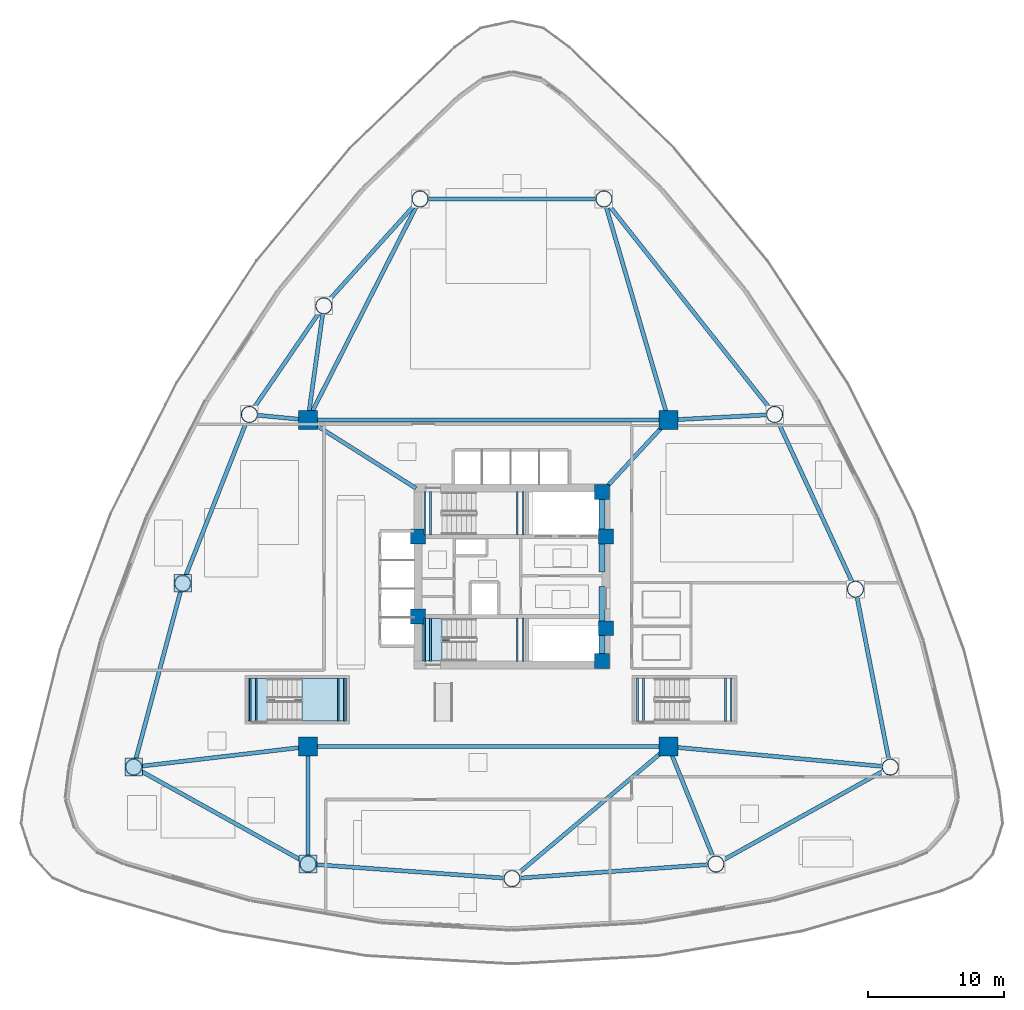
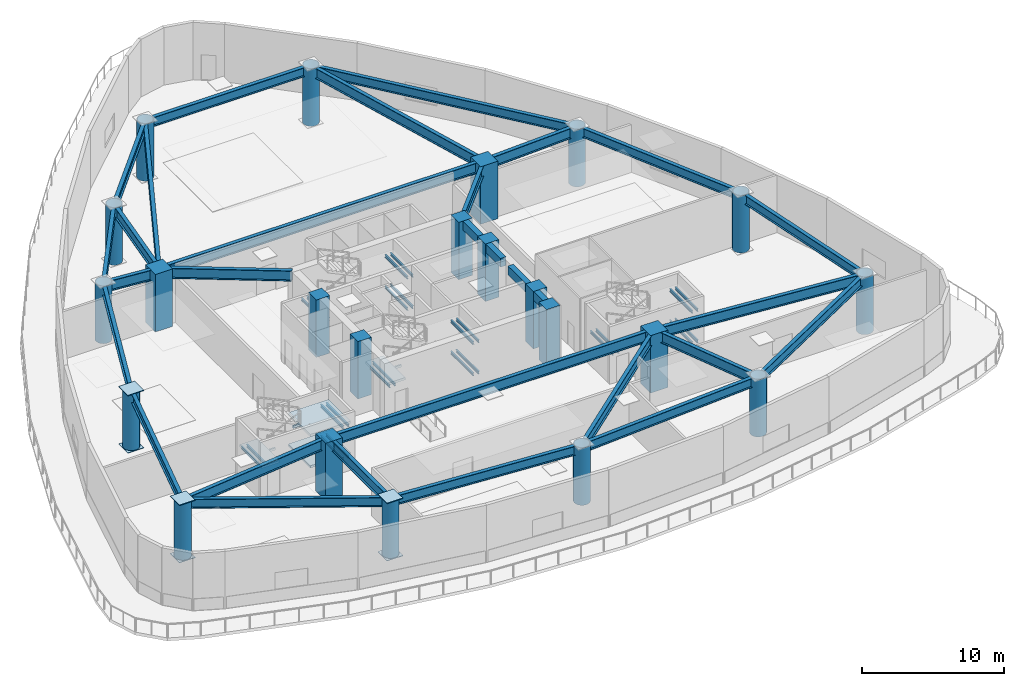
# One storey, part 1 of 13: 52 beams, 22 columns, 6 plates, 4 slabs, 2 elements without a shape of their own.
"""IFC4 building model written with IfcOpenShell, lengths in metres."""

import ifcopenshell
import ifcopenshell.guid

model = None  # the IFC model being written
_history = None  # IfcOwnerHistory: only IFC2X3 demands one
_inside = {}  # id of a spatial element -> (the spatial element, [elements in it])
_under = {}  # id of a project, library or spatial element -> (it, [spatial elements below it])
_declared = {}  # id of a project -> (the project, [libraries it declares])
_typed = {}  # id of a type object -> (the type object, [elements of that type])
_made_of = {}  # id of a material, layer set ... -> (it, [elements and type objects made of it])


def new_model(schema):
    """Start an empty IFC model of exactly this schema.

    Asked for "IFC4X3", IfcOpenShell would pick the latest addendum, in which some entities
    have other attributes; the version numbers below select the first issue.
    IFC2X3 requires an IfcOwnerHistory on every rooted entity: one is made here for all.
    """
    global model, _history
    if schema == "IFC4X3":
        model = ifcopenshell.file(schema_version=(4, 3, 0, 0))
    else:
        model = ifcopenshell.file(schema=schema)
    _inside.clear()
    _under.clear()
    _declared.clear()
    _typed.clear()
    _made_of.clear()
    _history = None
    if model.schema == "IFC2X3":
        org = make("IfcOrganization", Name="unknown")
        user = make(
            "IfcPersonAndOrganization",
            ThePerson=make("IfcPerson", FamilyName="unknown"),
            TheOrganization=org,
        )
        app = make(
            "IfcApplication",
            ApplicationDeveloper=org,
            Version="unknown",
            ApplicationFullName="unknown",
            ApplicationIdentifier="unknown",
        )
        _history = make(
            "IfcOwnerHistory",
            OwningUser=user,
            OwningApplication=app,
            ChangeAction="ADDED",
            CreationDate=0,
        )
    return model


def make(cls, **values):
    """One entity of the class cls with the attributes given. An attribute that is None is left unset."""
    return model.create_entity(
        cls, **{name: value for name, value in values.items() if value is not None}
    )


def rooted(cls, **values):
    """An entity with a GlobalId (a new one), such as an element, a storey or a relation."""
    return make(cls, GlobalId=ifcopenshell.guid.new(), OwnerHistory=_history, **values)


def si_unit(unit_type, name, prefix=None):
    """IfcSIUnit, for example si_unit("LENGTHUNIT", "METRE", prefix="MILLI")."""
    return make("IfcSIUnit", UnitType=unit_type, Prefix=prefix, Name=name)


def assignment(units):
    """IfcUnitAssignment: the units of a project."""
    return None if units is None else make("IfcUnitAssignment", Units=units)


def point(xyz):
    """IfcCartesianPoint."""
    return None if xyz is None else make("IfcCartesianPoint", Coordinates=xyz)


def direction(xyz):
    """IfcDirection."""
    return None if xyz is None else make("IfcDirection", DirectionRatios=xyz)


def frame(location, z_axis=None, x_axis=None):
    """IfcAxis2Placement3D, a coordinate frame: its origin and axes. An axis left out is left unset."""
    return make(
        "IfcAxis2Placement3D",
        Location=point(location),
        Axis=direction(z_axis),
        RefDirection=direction(x_axis),
    )


def frame_2d(location, x_axis=None):
    """IfcAxis2Placement2D, a coordinate frame in the plane: its origin and x axis."""
    return make(
        "IfcAxis2Placement2D", Location=point(location), RefDirection=direction(x_axis)
    )


def origin():
    """The frame at (0, 0, 0) with its axes left unset."""
    return frame((0.0, 0.0, 0.0))


def origin_2d():
    """The frame at (0, 0) in the plane with its x axis left unset."""
    return frame_2d((0.0, 0.0))


def place(relative_to, where):
    """IfcLocalPlacement: puts the frame where relative to a parent placement (None: the world)."""
    return make(
        "IfcLocalPlacement", PlacementRelTo=relative_to, RelativePlacement=where
    )


def context(
    kind, dimensions, precision=None, world=None, true_north=None, identifier=None
):
    """IfcGeometricRepresentationContext, for example the 3D "Model" context."""
    return make(
        "IfcGeometricRepresentationContext",
        ContextIdentifier=identifier,
        ContextType=kind,
        CoordinateSpaceDimension=dimensions,
        Precision=precision,
        WorldCoordinateSystem=world,
        TrueNorth=true_north,
    )


def subcontext(parent, identifier, kind, view, scale=None):
    """IfcGeometricRepresentationSubContext, for example "Body" below "Model"."""
    return make(
        "IfcGeometricRepresentationSubContext",
        ContextIdentifier=identifier,
        ContextType=kind,
        ParentContext=parent,
        TargetScale=scale,
        TargetView=view,
    )


def project(units=None, contexts=None):
    """IfcProject with its units and contexts."""
    return rooted(
        "IfcProject",
        Name="project",
        RepresentationContexts=contexts,
        UnitsInContext=assignment(units),
    )


def spatial(cls, under=None, at=None, **own):
    """A site, building, storey or space (cls), placed at a placement, below another one or the project."""
    s = rooted(cls, ObjectPlacement=at, **own)
    if under is not None:
        _under.setdefault(under.id(), (under, []))[1].append(s)
    return s


def polyline(points):
    """IfcPolyline through the points."""
    return make("IfcPolyline", Points=[point(p) for p in points])


def profile(cls, at=None, kind="AREA", **sizes):
    """A parametric profile (cls). Its sizes go by their IFC names, for example OverallWidth=200.0."""
    return make(cls, ProfileType=kind, Position=at, **sizes)


def rectangle(**sizes):
    """IfcRectangleProfileDef."""
    return profile("IfcRectangleProfileDef", **sizes)


def hollow_circle(**sizes):
    """IfcCircleHollowProfileDef."""
    return profile("IfcCircleHollowProfileDef", **sizes)


def i_section(**sizes):
    """IfcIShapeProfileDef."""
    return profile("IfcIShapeProfileDef", **sizes)


def outline(outer, holes=None, kind="AREA"):
    """IfcArbitraryClosedProfileDef: a profile drawn as a closed curve; with holes, ...WithVoids."""
    if holes is None:
        return make("IfcArbitraryClosedProfileDef", ProfileType=kind, OuterCurve=outer)
    return make(
        "IfcArbitraryProfileDefWithVoids",
        ProfileType=kind,
        OuterCurve=outer,
        InnerCurves=holes,
    )


def extrude(swept, where, along, depth):
    """IfcExtrudedAreaSolid: the profile swept, set in the frame where, extruded along a direction by depth."""
    return make(
        "IfcExtrudedAreaSolid",
        SweptArea=swept,
        Position=where,
        ExtrudedDirection=direction(along),
        Depth=depth,
    )


def shape(context_of_items, identifier, shape_type, items):
    """IfcShapeRepresentation: the items that make up one representation, for example the "Body"."""
    return make(
        "IfcShapeRepresentation",
        ContextOfItems=context_of_items,
        RepresentationIdentifier=identifier,
        RepresentationType=shape_type,
        Items=items,
    )


def source(mapping_origin, context_of_items, identifier, shape_type, items):
    """IfcRepresentationMap: a shape defined once, which mapped items show again and again."""
    return make(
        "IfcRepresentationMap",
        MappingOrigin=mapping_origin,
        MappedRepresentation=shape(context_of_items, identifier, shape_type, items),
    )


def transform(
    local_origin,
    x_axis=None,
    y_axis=None,
    z_axis=None,
    scale=None,
    scale2=None,
    scale3=None,
    uniform=True,
):
    """IfcCartesianTransformationOperator3D, or its non-uniform kind. x_axis, y_axis, z_axis: its Axis1, 2, 3."""
    if uniform:
        return make(
            "IfcCartesianTransformationOperator3D",
            Axis1=direction(x_axis),
            Axis2=direction(y_axis),
            LocalOrigin=point(local_origin),
            Scale=scale,
            Axis3=direction(z_axis),
        )
    return make(
        "IfcCartesianTransformationOperator3DnonUniform",
        Axis1=direction(x_axis),
        Axis2=direction(y_axis),
        LocalOrigin=point(local_origin),
        Scale=scale,
        Axis3=direction(z_axis),
        Scale2=scale2,
        Scale3=scale3,
    )


def mapped(mapping_source, mapping_target):
    """IfcMappedItem: shows the shape of a source again, moved by a transform."""
    return make(
        "IfcMappedItem", MappingSource=mapping_source, MappingTarget=mapping_target
    )


def material(Name=None, Category=None):
    """IfcMaterial."""
    return make("IfcMaterial", Name=Name, Category=Category)


def layer(
    of_material, thickness, ventilated=None, Name=None, Category=None, Priority=None
):
    """IfcMaterialLayer: one layer of a wall or slab, of a material (None: an air gap)."""
    return make(
        "IfcMaterialLayer",
        Material=of_material,
        LayerThickness=thickness,
        IsVentilated=ventilated,
        Name=Name,
        Category=Category,
        Priority=Priority,
    )


def layer_set(layers, Name=None):
    """IfcMaterialLayerSet."""
    return make("IfcMaterialLayerSet", MaterialLayers=layers, LayerSetName=Name)


def material_profile(
    of_material, cross_section, Name=None, Category=None, Priority=None
):
    """IfcMaterialProfile: a cross section and its material."""
    return make(
        "IfcMaterialProfile",
        Name=Name,
        Material=of_material,
        Profile=cross_section,
        Priority=Priority,
        Category=Category,
    )


def profile_set(profiles, Name=None, composite=None):
    """IfcMaterialProfileSet."""
    return make(
        "IfcMaterialProfileSet",
        Name=Name,
        MaterialProfiles=profiles,
        CompositeProfile=composite,
    )


def made_of(thing, what):
    """Note that an element or type object is made of a material, layer set ...; save() writes the relation."""
    if what is not None:
        _made_of.setdefault(what.id(), (what, []))[1].append(thing)
    return thing


def type_object(cls, material=None, **own):
    """A type object (cls), such as IfcWallType, which elements share."""
    return made_of(rooted(cls, **own), material)


def type_shapes(of_type, sources):
    """Give a type object the sources (RepresentationMaps) that its elements show as mapped items."""
    of_type.RepresentationMaps = sources


def element(
    cls,
    number,
    at=None,
    inside=None,
    cuts=None,
    type_object=None,
    material=None,
    context=None,
    identifier="Body",
    shape_type=None,
    held_by="IfcProductDefinitionShape",
    body=None,
    shapes=None,
    **own,
):
    """One element of the class cls, such as IfcWall. Its Tag is "e" and its number.

    at: its placement. inside: the storey or other place that contains it. cuts: it is an
    opening in that element (IfcRelVoidsElement). A single representation is given by context,
    identifier, shape_type and body (its items); several are given by shapes. held_by: the class
    of the entity that holds the representations. save() writes the other relations.
    """
    e = rooted(cls, Tag="e%d" % number, ObjectPlacement=at, **own)
    if body is not None:
        shapes = [shape(context, identifier, shape_type, body)]
    if shapes is not None:
        e.Representation = make(held_by, Representations=shapes)
    if inside is not None:
        _inside.setdefault(inside.id(), (inside, []))[1].append(e)
    if cuts is not None:
        rooted(
            "IfcRelVoidsElement", RelatingBuildingElement=cuts, RelatedOpeningElement=e
        )
    if type_object is not None:
        _typed.setdefault(type_object.id(), (type_object, []))[1].append(e)
    return made_of(e, material)


def aggregate(whole, parts):
    """IfcRelAggregates: a whole, such as a stair, and the parts it consists of."""
    return rooted("IfcRelAggregates", RelatingObject=whole, RelatedObjects=parts)


def save(model, path):
    """Write the relations noted so far, then the file.

    IfcRelAggregates (storeys below a building ...), IfcRelContainedInSpatialStructure (elements
    in a storey), IfcRelDefinesByType, IfcRelAssociatesMaterial and IfcRelDeclares: one each for
    every whole, place, type object, material and project.
    """
    for whole, parts in _under.values():
        aggregate(whole, parts)
    for where, things in _inside.values():
        rooted(
            "IfcRelContainedInSpatialStructure",
            RelatedElements=things,
            RelatingStructure=where,
        )
    for kind, things in _typed.values():
        rooted("IfcRelDefinesByType", RelatedObjects=things, RelatingType=kind)
    for what, things in _made_of.values():
        rooted("IfcRelAssociatesMaterial", RelatedObjects=things, RelatingMaterial=what)
    for by, libraries in _declared.values():
        rooted("IfcRelDeclares", RelatingContext=by, RelatedDefinitions=libraries)
    model.write(path)


model = new_model("IFC4")

# Units and contexts
model_context = context("Model", 3, precision=1e-05, world=origin(), true_north=direction((0.0, 1.0)))
body_context = subcontext(model_context, "Body", "Model", "MODEL_VIEW")
ifc_project = project(units=[si_unit("LENGTHUNIT", "METRE"), si_unit("AREAUNIT", "SQUARE_METRE"), si_unit("VOLUMEUNIT", "CUBIC_METRE"), si_unit("PLANEANGLEUNIT", "RADIAN"), si_unit("MASSUNIT", "GRAM", prefix="KILO")], contexts=[model_context])

# Site, building, storey
site_placement = place(None, origin())
site = spatial("IfcSite", under=ifc_project, at=site_placement, CompositionType="ELEMENT")
building_placement = place(site_placement, origin())
building = spatial("IfcBuilding", under=site, at=building_placement, Name="Tavelor Broadcast Tower", CompositionType="ELEMENT")
storey_placement = place(building_placement, frame((0.0, 0.0, 16.800048828125)))
storey = spatial("IfcBuildingStorey", under=building, at=storey_placement, Name="L03", CompositionType="ELEMENT", Elevation=16.800048828125)

# Columns
ifc_material_1 = material(Name="Concrete C60/75", Category="concrete")
ifc_material_profile_1 = material_profile(ifc_material_1, rectangle(XDim=1.10009765625, YDim=1.10009765625, at=origin_2d()), Name="RC 1100x1100")
ifc_profile_set_1 = profile_set([ifc_material_profile_1], Name="Concrete C60/75")
column_type_1 = type_object("IfcColumnType", Name="Core Embedded Composite Column RC1100", PredefinedType="COLUMN", material=ifc_profile_set_1)
for number, where, z_axis, x_axis, name in (
    (1, (43.10009765625, 47.949951171875, 0.0), (0.0, 0.0, 1.0), (1.0, 0.0, 0.0), "L03 Core Embedded Column 1"),
    (2, (56.89990234375, 47.949951171875, 0.0), (0.0, 0.0, 1.0), (1.0, 0.0, 0.0), "L03 Core Embedded Column 2"),
    (3, (56.60009765625, 51.199951171875, 0.0), (0.0, 0.0, 1.0), (1.0, 0.0, 0.0), "L03 Core Embedded Column 3"),
    (4, (43.10009765625, 42.050048828125, 0.0), (0.0, 0.0, 1.0), (1.0, 0.0, 0.0), "L03 Core Embedded Column 4"),
    (5, (56.89990234375, 41.199951171875, 0.0), (0.0, 0.0, 1.0), (1.0, 0.0, 0.0), "L03 Core Embedded Column 5"),
    (6, (56.60009765625, 38.800048828125, 0.0), (0.0, 0.0, 1.0), (1.0, 0.0, 0.0), "L03 Core Embedded Column 6"),
):
    element("IfcColumn", number, at=place(storey_placement, frame(where, z_axis=z_axis, x_axis=x_axis)), inside=storey, type_object=column_type_1, Name=name, PredefinedType="COLUMN", context=body_context, shape_type="SweptSolid", body=[
        extrude(rectangle(XDim=1.10009765625, YDim=1.10009765625, at=origin_2d()), origin(), (0.0, 0.0, 1.0), 4.949951171875),
    ])
ifc_material_profile_2 = material_profile(ifc_material_1, rectangle(XDim=1.39990234375, YDim=1.39990234375, at=origin_2d()), Name="RC 1400x1400")
ifc_profile_set_2 = profile_set([ifc_material_profile_2], Name="Concrete C60/75")
column_type_2 = type_object("IfcColumnType", Name="Podium Composite Mega Column RC1400", PredefinedType="COLUMN", material=ifc_profile_set_2)
for number, where, z_axis, x_axis, name in (
    (7, (35.0, 32.5, 0.0), (0.0, 0.0, 1.0), (1.0, 0.0, 0.0), "L03 Studio Inner Mega Column 1"),
    (8, (61.5, 32.5, 0.0), (0.0, 0.0, 1.0), (1.0, 0.0, 0.0), "L03 Studio Inner Mega Column 2"),
    (9, (61.5, 56.5, 0.0), (0.0, 0.0, 1.0), (1.0, 0.0, 0.0), "L03 Studio Inner Mega Column 3"),
    (10, (35.0, 56.5, 0.0), (0.0, 0.0, 1.0), (1.0, 0.0, 0.0), "L03 Studio Inner Mega Column 4"),
):
    element("IfcColumn", number, at=place(storey_placement, frame(where, z_axis=z_axis, x_axis=x_axis)), inside=storey, type_object=column_type_2, Name=name, PredefinedType="COLUMN", context=body_context, shape_type="SweptSolid", body=[
        extrude(rectangle(XDim=1.39990234375, YDim=1.39990234375, at=origin_2d()), origin(), (0.0, 0.0, 1.0), 4.949951171875),
    ])
ifc_material_2 = material(Name="Steel S460", Category="steel")
ifc_material_profile_3 = material_profile(ifc_material_2, hollow_circle(Radius=0.609619140625, WallThickness=0.050048828125, at=origin_2d()), Name="CHS 1219x50")
ifc_profile_set_3 = profile_set([ifc_material_profile_3], Name="Steel S460")
column_type_3 = type_object("IfcColumnType", Name="Podium Perimeter Mega Column CHS1219", PredefinedType="COLUMN", material=ifc_profile_set_3)
for number, where, z_axis, x_axis, name in (
    (11, (43.247314453125, 72.7509765625, 0.0), (0.0, 0.0, 1.0), (1.0, 0.0, 0.0), "L03 Podium Perimeter Mega Column 1"),
    (12, (36.170166015625, 64.893310546875, 0.0), (0.0, 0.0, 1.0), (1.0, 0.0, 0.0), "L03 Podium Perimeter Mega Column 2"),
    (13, (30.69921875, 56.9111328125, 0.0), (0.0, 0.0, 1.0), (1.0, 0.0, 0.0), "L03 Podium Perimeter Mega Column 3"),
    (14, (25.800048828125, 44.5, 0.0), (0.0, 0.0, 1.0), (1.0, 0.0, 0.0), "L03 Podium Perimeter Mega Column 4"),
    (15, (22.199951171875, 31.0, 0.0), (0.0, 0.0, 1.0), (1.0, 0.0, 0.0), "L03 Podium Perimeter Mega Column 5"),
    (16, (35.01220703125, 23.87109375, 0.0), (0.0, 0.0, 1.0), (1.0, 0.0, 0.0), "L03 Podium Perimeter Mega Column 6"),
    (17, (50.0, 22.800048828125, 0.0), (0.0, 0.0, 1.0), (1.0, 0.0, 0.0), "L03 Podium Perimeter Mega Column 7"),
    (18, (64.98779296875, 23.87109375, 0.0), (0.0, 0.0, 1.0), (1.0, 0.0, 0.0), "L03 Podium Perimeter Mega Column 8"),
    (19, (77.800048828125, 31.0, 0.0), (0.0, 0.0, 1.0), (1.0, 0.0, 0.0), "L03 Podium Perimeter Mega Column 9"),
    (20, (75.2412109375, 44.070068359375, 0.0), (0.0, 0.0, 1.0), (1.0, 0.0, 0.0), "L03 Podium Perimeter Mega Column 10"),
    (21, (69.30078125, 56.9111328125, 0.0), (0.0, 0.0, 1.0), (1.0, 0.0, 0.0), "L03 Podium Perimeter Mega Column 11"),
    (22, (56.752685546875, 72.7509765625, 0.0), (0.0, 0.0, 1.0), (1.0, 0.0, 0.0), "L03 Podium Perimeter Mega Column 12"),
):
    element("IfcColumn", number, at=place(storey_placement, frame(where, z_axis=z_axis, x_axis=x_axis)), inside=storey, type_object=column_type_3, Name=name, PredefinedType="COLUMN", context=body_context, shape_type="SweptSolid", body=[
        extrude(hollow_circle(Radius=0.609619140625, WallThickness=0.050048828125, at=origin_2d()), origin(), (0.0, 0.0, 1.0), 4.949951171875),
    ])

# Beams
ifc_material_3 = material(Name="Concrete C40/50", Category="concrete")
ifc_material_profile_4 = material_profile(ifc_material_3, rectangle(XDim=0.449951171875, YDim=0.75, at=origin_2d()), Name="RC 450x750")
ifc_profile_set_4 = profile_set([ifc_material_profile_4], Name="Concrete C40/50")
beam_type_1 = type_object("IfcBeamType", Name="Basement Core Trim Beam 450x750", PredefinedType="BEAM", material=ifc_profile_set_4)
beam_1_placement = place(storey_placement, frame((56.60009765625, 45.327880859375, 4.574951171875), z_axis=(0.0, 1.0, 0.0), x_axis=(-1.0, 0.0, 0.0)))
element("IfcBeam", 23, at=beam_1_placement, inside=storey, type_object=beam_type_1, Name="L03 Core East-N Tie Girder", PredefinedType="BEAM", context=body_context, shape_type="SweptSolid", body=[
    extrude(rectangle(XDim=0.449951171875, YDim=0.75, at=origin_2d()), origin(), (0.0, 0.0, 1.0), 5.34423828125),
])
beam_2_placement = place(storey_placement, frame((56.60009765625, 39.327880859375, 4.574951171875), z_axis=(0.0, 1.0, 0.0), x_axis=(-1.0, 0.0, 0.0)))
element("IfcBeam", 24, at=beam_2_placement, inside=storey, type_object=beam_type_1, Name="L03 Core East-S Tie Girder", PredefinedType="BEAM", context=body_context, shape_type="SweptSolid", body=[
    extrude(rectangle(XDim=0.449951171875, YDim=0.75, at=origin_2d()), origin(), (0.0, 0.0, 1.0), 4.944091796875),
])
ifc_material_4 = material(Name="Steel S355", Category="steel")
ifc_material_profile_5 = material_profile(ifc_material_4, i_section(OverallWidth=0.300048828125, OverallDepth=0.800048828125, WebThickness=0.017578125, FlangeThickness=0.032958984375, at=origin_2d()), Name="HEB 800")
ifc_profile_set_5 = profile_set([ifc_material_profile_5], Name="Steel S355")
beam_type_2 = type_object("IfcBeamType", Name="Podium Spandrel Beam HEB800", PredefinedType="SPANDREL", material=ifc_profile_set_5)
beam_3_placement = place(storey_placement, frame((42.85888671875, 72.320068359375, 4.550048828125), z_axis=(-0.669215412935, -0.74306845653, 0.0), x_axis=(0.74306845653, -0.669215412935, 0.0)))
element("IfcBeam", 25, at=beam_3_placement, inside=storey, type_object=beam_type_2, Name="L03 Podium Spandrel Girder 1", PredefinedType="SPANDREL", context=body_context, shape_type="SweptSolid", body=[
    extrude(i_section(OverallWidth=0.300048828125, OverallDepth=0.800048828125, WebThickness=0.017578125, FlangeThickness=0.032958984375, at=origin_2d()), origin(), (0.0, 0.0, 1.0), 9.414794921875),
])
beam_4_placement = place(storey_placement, frame((35.84228515625, 64.414794921875, 4.550048828125), z_axis=(-0.565364008772, -0.82484152271, 0.0), x_axis=(0.82484152271, -0.565364008772, 0.0)))
element("IfcBeam", 26, at=beam_4_placement, inside=storey, type_object=beam_type_2, Name="L03 Podium Spandrel Girder 2", PredefinedType="SPANDREL", context=body_context, shape_type="SweptSolid", body=[
    extrude(i_section(OverallWidth=0.300048828125, OverallDepth=0.800048828125, WebThickness=0.017578125, FlangeThickness=0.032958984375, at=origin_2d()), origin(), (0.0, 0.0, 1.0), 8.516845703125),
])
beam_5_placement = place(storey_placement, frame((30.486083984375, 56.37158203125, 4.550048828125), z_axis=(-0.367164709683, -0.930155941745, 0.0), x_axis=(0.930155941745, -0.367164709683, 0.0)))
element("IfcBeam", 27, at=beam_5_placement, inside=storey, type_object=beam_type_2, Name="L03 Podium Spandrel Girder 3", PredefinedType="SPANDREL", context=body_context, shape_type="SweptSolid", body=[
    extrude(i_section(OverallWidth=0.300048828125, OverallDepth=0.800048828125, WebThickness=0.017578125, FlangeThickness=0.032958984375, at=origin_2d()), origin(), (0.0, 0.0, 1.0), 12.182861328125),
])
beam_6_placement = place(storey_placement, frame((25.650634765625, 43.939697265625, 4.550048828125), z_axis=(-0.257669766751, -0.966233041922, 0.0), x_axis=(0.966233041922, -0.257669766751, 0.0)))
element("IfcBeam", 28, at=beam_6_placement, inside=storey, type_object=beam_type_2, Name="L03 Podium Spandrel Girder 4", PredefinedType="SPANDREL", context=body_context, shape_type="SweptSolid", body=[
    extrude(i_section(OverallWidth=0.300048828125, OverallDepth=0.800048828125, WebThickness=0.017578125, FlangeThickness=0.032958984375, at=origin_2d()), origin(), (0.0, 0.0, 1.0), 12.81201171875),
])
beam_7_placement = place(storey_placement, frame((22.706787109375, 30.718017578125, 4.550048828125), z_axis=(0.873837244076, -0.486218542289, 0.0), x_axis=(0.486218542289, 0.873837244076, 0.0)))
element("IfcBeam", 29, at=beam_7_placement, inside=storey, type_object=beam_type_2, Name="L03 Podium Spandrel Girder 5", PredefinedType="SPANDREL", context=body_context, shape_type="SweptSolid", body=[
    extrude(i_section(OverallWidth=0.300048828125, OverallDepth=0.800048828125, WebThickness=0.017578125, FlangeThickness=0.032958984375, at=origin_2d()), origin(), (0.0, 0.0, 1.0), 13.501953125),
])
for number, where, z_axis, x_axis, name in (
    (30, (35.590576171875, 23.82958984375, 4.550048828125), (0.997456822591, -0.07127332647, 0.0), (0.07127332647, 0.997456822591, 0.0), "L03 Podium Spandrel Girder 6"),
    (31, (50.57861328125, 22.84130859375, 4.550048828125), (0.997456822591, 0.07127332647, 0.0), (-0.07127332647, 0.997456822591, 0.0), "L03 Podium Spandrel Girder 7"),
):
    element("IfcBeam", number, at=place(storey_placement, frame(where, z_axis=z_axis, x_axis=x_axis)), inside=storey, type_object=beam_type_2, Name=name, PredefinedType="SPANDREL", context=body_context, shape_type="SweptSolid", body=[
        extrude(i_section(OverallWidth=0.300048828125, OverallDepth=0.800048828125, WebThickness=0.017578125, FlangeThickness=0.032958984375, at=origin_2d()), origin(), (0.0, 0.0, 1.0), 13.865966796875),
    ])
beam_8_placement = place(storey_placement, frame((65.49462890625, 24.153076171875, 4.550048828125), z_axis=(0.873837244076, 0.486218542289, 0.0), x_axis=(-0.486218542289, 0.873837244076, 0.0)))
element("IfcBeam", 32, at=beam_8_placement, inside=storey, type_object=beam_type_2, Name="L03 Podium Spandrel Girder 8", PredefinedType="SPANDREL", context=body_context, shape_type="SweptSolid", body=[
    extrude(i_section(OverallWidth=0.300048828125, OverallDepth=0.800048828125, WebThickness=0.017578125, FlangeThickness=0.032958984375, at=origin_2d()), origin(), (0.0, 0.0, 1.0), 13.501953125),
])
beam_9_placement = place(storey_placement, frame((77.688720703125, 31.569091796875, 4.550048828125), z_axis=(-0.192144879801, 0.981366570231, 0.0), x_axis=(-0.981366570231, -0.192144879801, 0.0)))
element("IfcBeam", 33, at=beam_9_placement, inside=storey, type_object=beam_type_2, Name="L03 Podium Spandrel Girder 9", PredefinedType="SPANDREL", context=body_context, shape_type="SweptSolid", body=[
    extrude(i_section(OverallWidth=0.300048828125, OverallDepth=0.800048828125, WebThickness=0.017578125, FlangeThickness=0.032958984375, at=origin_2d()), origin(), (0.0, 0.0, 1.0), 12.158447265625),
])
beam_10_placement = place(storey_placement, frame((74.997802734375, 44.596435546875, 4.550048828125), z_axis=(-0.419873312524, 0.90758272429, 0.0), x_axis=(-0.90758272429, -0.419873312524, 0.0)))
element("IfcBeam", 34, at=beam_10_placement, inside=storey, type_object=beam_type_2, Name="L03 Podium Spandrel Girder 10", PredefinedType="SPANDREL", context=body_context, shape_type="SweptSolid", body=[
    extrude(i_section(OverallWidth=0.300048828125, OverallDepth=0.800048828125, WebThickness=0.017578125, FlangeThickness=0.032958984375, at=origin_2d()), origin(), (0.0, 0.0, 1.0), 12.98876953125),
])
beam_11_placement = place(storey_placement, frame((68.940673828125, 57.36572265625, 4.550048828125), z_axis=(-0.620945854653, 0.783853459257, 0.0), x_axis=(-0.783853459257, -0.620945854653, 0.0)))
element("IfcBeam", 35, at=beam_11_placement, inside=storey, type_object=beam_type_2, Name="L03 Podium Spandrel Girder 11", PredefinedType="SPANDREL", context=body_context, shape_type="SweptSolid", body=[
    extrude(i_section(OverallWidth=0.300048828125, OverallDepth=0.800048828125, WebThickness=0.017578125, FlangeThickness=0.032958984375, at=origin_2d()), origin(), (0.0, 0.0, 1.0), 19.0478515625),
])
beam_12_placement = place(storey_placement, frame((56.1728515625, 72.7509765625, 4.550048828125), z_axis=(-1.0, 0.0, 0.0), x_axis=(0.0, -1.0, 0.0)))
element("IfcBeam", 36, at=beam_12_placement, inside=storey, type_object=beam_type_2, Name="L03 Podium Spandrel Girder 12", PredefinedType="SPANDREL", context=body_context, shape_type="SweptSolid", body=[
    extrude(i_section(OverallWidth=0.300048828125, OverallDepth=0.800048828125, WebThickness=0.017578125, FlangeThickness=0.032958984375, at=origin_2d()), origin(), (0.0, 0.0, 1.0), 12.345703125),
])
ifc_material_profile_6 = material_profile(ifc_material_4, i_section(OverallWidth=0.1201171875, OverallDepth=0.239990234375, WebThickness=0.006103515625, FlangeThickness=0.009765625, at=origin_2d()), Name="IPE 240")
ifc_profile_set_6 = profile_set([ifc_material_profile_6], Name="Steel S355")
beam_type_3 = type_object("IfcBeamType", Name="Stairwell Landing Support Trimmer Beam IPE240", PredefinedType="BEAM", material=ifc_profile_set_6)
for number, where, z_axis, x_axis, name in (
    (37, (50.385009765625, 48.06005859375, 1.034912109375), (0.0, 1.0, 0.0), (-1.0, 0.0, 0.0), "L03 Stair Landing Support Beam 23"),
    (38, (50.824951171875, 48.06005859375, 1.034912109375), (0.0, 1.0, 0.0), (-1.0, 0.0, 0.0), "L03 Stair Landing Support Beam 24"),
    (39, (43.574951171875, 48.06005859375, 2.385009765625), (0.0, 1.0, 0.0), (-1.0, 0.0, 0.0), "L03 Stair Landing Support Beam 25"),
    (40, (44.014892578125, 48.06005859375, 2.385009765625), (0.0, 1.0, 0.0), (-1.0, 0.0, 0.0), "L03 Stair Landing Support Beam 26"),
    (41, (50.385009765625, 48.06005859375, 3.73486328125), (0.0, 1.0, 0.0), (-1.0, 0.0, 0.0), "L03 Stair Landing Support Beam 27"),
    (42, (50.824951171875, 48.06005859375, 3.73486328125), (0.0, 1.0, 0.0), (-1.0, 0.0, 0.0), "L03 Stair Landing Support Beam 28"),
    (43, (50.385009765625, 38.760009765625, 1.034912109375), (0.0, 1.0, 0.0), (-1.0, 0.0, 0.0), "L03 Stair Landing Support Beam 237"),
    (44, (50.824951171875, 38.760009765625, 1.034912109375), (0.0, 1.0, 0.0), (-1.0, 0.0, 0.0), "L03 Stair Landing Support Beam 238"),
    (45, (43.574951171875, 38.760009765625, 2.385009765625), (0.0, 1.0, 0.0), (-1.0, 0.0, 0.0), "L03 Stair Landing Support Beam 239"),
    (46, (44.014892578125, 38.760009765625, 2.385009765625), (0.0, 1.0, 0.0), (-1.0, 0.0, 0.0), "L03 Stair Landing Support Beam 240"),
    (47, (50.385009765625, 38.760009765625, 3.73486328125), (0.0, 1.0, 0.0), (-1.0, 0.0, 0.0), "L03 Stair Landing Support Beam 241"),
    (48, (50.824951171875, 38.760009765625, 3.73486328125), (0.0, 1.0, 0.0), (-1.0, 0.0, 0.0), "L03 Stair Landing Support Beam 242"),
    (49, (37.235107421875, 34.360107421875, 1.034912109375), (0.0, 1.0, 0.0), (-1.0, 0.0, 0.0), "L03 Stair Landing Support Beam 433"),
    (50, (37.675048828125, 34.360107421875, 1.034912109375), (0.0, 1.0, 0.0), (-1.0, 0.0, 0.0), "L03 Stair Landing Support Beam 434"),
    (51, (30.77490234375, 34.360107421875, 2.385009765625), (0.0, 1.0, 0.0), (-1.0, 0.0, 0.0), "L03 Stair Landing Support Beam 435"),
    (52, (31.215087890625, 34.360107421875, 2.385009765625), (0.0, 1.0, 0.0), (-1.0, 0.0, 0.0), "L03 Stair Landing Support Beam 436"),
    (53, (37.235107421875, 34.360107421875, 3.73486328125), (0.0, 1.0, 0.0), (-1.0, 0.0, 0.0), "L03 Stair Landing Support Beam 437"),
    (54, (37.675048828125, 34.360107421875, 3.73486328125), (0.0, 1.0, 0.0), (-1.0, 0.0, 0.0), "L03 Stair Landing Support Beam 438"),
    (55, (65.68505859375, 34.360107421875, 1.034912109375), (0.0, 1.0, 0.0), (-1.0, 0.0, 0.0), "L03 Stair Landing Support Beam 461"),
    (56, (66.125, 34.360107421875, 1.034912109375), (0.0, 1.0, 0.0), (-1.0, 0.0, 0.0), "L03 Stair Landing Support Beam 462"),
    (57, (59.22509765625, 34.360107421875, 2.385009765625), (0.0, 1.0, 0.0), (-1.0, 0.0, 0.0), "L03 Stair Landing Support Beam 463"),
    (58, (59.6650390625, 34.360107421875, 2.385009765625), (0.0, 1.0, 0.0), (-1.0, 0.0, 0.0), "L03 Stair Landing Support Beam 464"),
    (59, (65.68505859375, 34.360107421875, 3.73486328125), (0.0, 1.0, 0.0), (-1.0, 0.0, 0.0), "L03 Stair Landing Support Beam 465"),
    (60, (66.125, 34.360107421875, 3.73486328125), (0.0, 1.0, 0.0), (-1.0, 0.0, 0.0), "L03 Stair Landing Support Beam 466"),
):
    element("IfcBeam", number, at=place(storey_placement, frame(where, z_axis=z_axis, x_axis=x_axis)), inside=storey, type_object=beam_type_3, Name=name, PredefinedType="BEAM", context=body_context, shape_type="SweptSolid", body=[
        extrude(i_section(OverallWidth=0.1201171875, OverallDepth=0.239990234375, WebThickness=0.006103515625, FlangeThickness=0.009765625, at=origin_2d()), origin(), (0.0, 0.0, 1.0), 3.179931640625),
    ])
ifc_material_profile_7 = material_profile(ifc_material_2, i_section(OverallWidth=0.300048828125, OverallDepth=0.89990234375, WebThickness=0.0185546875, FlangeThickness=0.034912109375, at=origin_2d()), Name="HEB 900")
ifc_profile_set_7 = profile_set([ifc_material_profile_7], Name="Steel S460")
beam_type_4 = type_object("IfcBeamType", Name="Studio Long-Span Girder HEB900", PredefinedType="BEAM", material=ifc_profile_set_7)
for number, where, z_axis, x_axis, name in (
    (61, (35.679931640625, 32.5, 4.5), (1.0, 0.0, 0.0), (0.0, 1.0, 0.0), "L03 Studio Ring Girder 1"),
    (62, (60.820068359375, 56.5, 4.5), (-1.0, 0.0, 0.0), (0.0, -1.0, 0.0), "L03 Studio Ring Girder 3"),
):
    element("IfcBeam", number, at=place(storey_placement, frame(where, z_axis=z_axis, x_axis=x_axis)), inside=storey, type_object=beam_type_4, Name=name, PredefinedType="BEAM", context=body_context, shape_type="SweptSolid", body=[
        extrude(i_section(OverallWidth=0.300048828125, OverallDepth=0.89990234375, WebThickness=0.0185546875, FlangeThickness=0.034912109375, at=origin_2d()), origin(), (0.0, 0.0, 1.0), 25.14013671875),
    ])
beam_13_placement = place(storey_placement, frame((61.038330078125, 56.000732421875, 4.5), z_axis=(-0.678838365395, -0.734287732205, 0.0), x_axis=(0.734287732205, -0.678838365395, 0.0)))
element("IfcBeam", 63, at=beam_13_placement, inside=storey, type_object=beam_type_4, Name="L03 Core Tie Girder 3", PredefinedType="BEAM", context=body_context, shape_type="SweptSolid", body=[
    extrude(i_section(OverallWidth=0.300048828125, OverallDepth=0.89990234375, WebThickness=0.0185546875, FlangeThickness=0.034912109375, at=origin_2d()), origin(), (0.0, 0.0, 1.0), 6.010009765625),
])
beam_14_placement = place(storey_placement, frame((35.5751953125, 56.13720703125, 4.5), z_axis=(0.845723551993, -0.533621282938, 0.0), x_axis=(0.533621282938, 0.845723551993, 0.0)))
element("IfcBeam", 64, at=beam_14_placement, inside=storey, type_object=beam_type_4, Name="L03 Core Tie Girder 4", PredefinedType="BEAM", context=body_context, shape_type="SweptSolid", body=[
    extrude(i_section(OverallWidth=0.300048828125, OverallDepth=0.89990234375, WebThickness=0.0185546875, FlangeThickness=0.034912109375, at=origin_2d()), origin(), (0.0, 0.0, 1.0), 8.724365234375),
])
beam_15_placement = place(storey_placement, frame((35.3076171875, 57.1064453125, 4.5), z_axis=(0.45254782721, 0.891740132599, 0.0), x_axis=(-0.891740132599, 0.45254782721, 0.0)))
element("IfcBeam", 65, at=beam_15_placement, inside=storey, type_object=beam_type_4, Name="L03 Clear-Span Studio Girder 1", PredefinedType="BEAM", context=body_context, shape_type="SweptSolid", body=[
    extrude(i_section(OverallWidth=0.300048828125, OverallDepth=0.89990234375, WebThickness=0.0185546875, FlangeThickness=0.034912109375, at=origin_2d()), origin(), (0.0, 0.0, 1.0), 16.9638671875),
])
beam_16_placement = place(storey_placement, frame((35.093994140625, 57.173583984375, 4.5), z_axis=(0.138070971987, 0.990422337538, 0.0), x_axis=(-0.990422337538, 0.138070971987, 0.0)))
element("IfcBeam", 66, at=beam_16_placement, inside=storey, type_object=beam_type_4, Name="L03 Clear-Span Studio Girder 2", PredefinedType="BEAM", context=body_context, shape_type="SweptSolid", body=[
    extrude(i_section(OverallWidth=0.300048828125, OverallDepth=0.89990234375, WebThickness=0.0185546875, FlangeThickness=0.034912109375, at=origin_2d()), origin(), (0.0, 0.0, 1.0), 7.21435546875),
])
beam_17_placement = place(storey_placement, frame((34.322998046875, 56.564697265625, 4.5), z_axis=(-0.995460626314, 0.095174268889, 0.0), x_axis=(-0.095174268889, -0.995460626314, 0.0)))
element("IfcBeam", 67, at=beam_17_placement, inside=storey, type_object=beam_type_4, Name="L03 Clear-Span Studio Girder 3", PredefinedType="BEAM", context=body_context, shape_type="SweptSolid", body=[
    extrude(i_section(OverallWidth=0.300048828125, OverallDepth=0.89990234375, WebThickness=0.0185546875, FlangeThickness=0.034912109375, at=origin_2d()), origin(), (0.0, 0.0, 1.0), 3.060302734375),
])
beam_18_placement = place(storey_placement, frame((34.32470703125, 32.4208984375, 4.5), z_axis=(-0.993201817643, -0.116405109127, 0.0), x_axis=(0.116405109127, -0.993201817643, 0.0)))
element("IfcBeam", 68, at=beam_18_placement, inside=storey, type_object=beam_type_4, Name="L03 Clear-Span Studio Girder 5", PredefinedType="BEAM", context=body_context, shape_type="SweptSolid", body=[
    extrude(i_section(OverallWidth=0.300048828125, OverallDepth=0.89990234375, WebThickness=0.0185546875, FlangeThickness=0.034912109375, at=origin_2d()), origin(), (0.0, 0.0, 1.0), 11.627685546875),
])
beam_19_placement = place(storey_placement, frame((35.0009765625, 31.820068359375, 4.5), z_axis=(0.00139146433, -0.999999031913, 0.0), x_axis=(0.999999031913, 0.00139146433, 0.0)))
element("IfcBeam", 69, at=beam_19_placement, inside=storey, type_object=beam_type_4, Name="L03 Clear-Span Studio Girder 6", PredefinedType="BEAM", context=body_context, shape_type="SweptSolid", body=[
    extrude(i_section(OverallWidth=0.300048828125, OverallDepth=0.89990234375, WebThickness=0.0185546875, FlangeThickness=0.034912109375, at=origin_2d()), origin(), (0.0, 0.0, 1.0), 7.369140625),
])
beam_20_placement = place(storey_placement, frame((60.980224609375, 32.0615234375, 4.5), z_axis=(-0.764399771003, -0.644742576608, 0.0), x_axis=(0.644742576608, -0.764399771003, 0.0)))
element("IfcBeam", 70, at=beam_20_placement, inside=storey, type_object=beam_type_4, Name="L03 Clear-Span Studio Girder 7", PredefinedType="BEAM", context=body_context, shape_type="SweptSolid", body=[
    extrude(i_section(OverallWidth=0.300048828125, OverallDepth=0.89990234375, WebThickness=0.0185546875, FlangeThickness=0.034912109375, at=origin_2d()), origin(), (0.0, 0.0, 1.0), 13.784423828125),
])
beam_21_placement = place(storey_placement, frame((61.7548828125, 31.86962890625, 4.5), z_axis=(0.374735912078, -0.927131595945, 0.0), x_axis=(0.927131595945, 0.374735912078, 0.0)))
element("IfcBeam", 71, at=beam_21_placement, inside=storey, type_object=beam_type_4, Name="L03 Clear-Span Studio Girder 8", PredefinedType="BEAM", context=body_context, shape_type="SweptSolid", body=[
    extrude(i_section(OverallWidth=0.300048828125, OverallDepth=0.89990234375, WebThickness=0.0185546875, FlangeThickness=0.034912109375, at=origin_2d()), origin(), (0.0, 0.0, 1.0), 8.04736328125),
])
beam_22_placement = place(storey_placement, frame((62.177001953125, 32.437744140625, 4.5), z_axis=(0.995791126224, -0.09165169357, 0.0), x_axis=(0.09165169357, 0.995791126224, 0.0)))
element("IfcBeam", 72, at=beam_22_placement, inside=storey, type_object=beam_type_4, Name="L03 Clear-Span Studio Girder 9", PredefinedType="BEAM", context=body_context, shape_type="SweptSolid", body=[
    extrude(i_section(OverallWidth=0.300048828125, OverallDepth=0.89990234375, WebThickness=0.0185546875, FlangeThickness=0.034912109375, at=origin_2d()), origin(), (0.0, 0.0, 1.0), 15.10888671875),
])
beam_23_placement = place(storey_placement, frame((62.17919921875, 56.535888671875, 4.5), z_axis=(0.998614739388, 0.052617509218, 0.0), x_axis=(-0.052617509218, 0.998614739388, 0.0)))
element("IfcBeam", 73, at=beam_23_placement, inside=storey, type_object=beam_type_4, Name="L03 Clear-Span Studio Girder 11", PredefinedType="BEAM", context=body_context, shape_type="SweptSolid", body=[
    extrude(i_section(OverallWidth=0.300048828125, OverallDepth=0.89990234375, WebThickness=0.0185546875, FlangeThickness=0.034912109375, at=origin_2d()), origin(), (0.0, 0.0, 1.0), 6.551513671875),
])
beam_24_placement = place(storey_placement, frame((61.309326171875, 57.152587890625, 4.5), z_axis=(-0.280403801571, 0.959882132381, 0.0), x_axis=(-0.959882132381, -0.280403801571, 0.0)))
element("IfcBeam", 74, at=beam_24_placement, inside=storey, type_object=beam_type_4, Name="L03 Clear-Span Studio Girder 12", PredefinedType="BEAM", context=body_context, shape_type="SweptSolid", body=[
    extrude(i_section(OverallWidth=0.300048828125, OverallDepth=0.89990234375, WebThickness=0.0185546875, FlangeThickness=0.034912109375, at=origin_2d()), origin(), (0.0, 0.0, 1.0), 15.67041015625),
])

# Stair, slab
stair_type = type_object("IfcStairType", Name="Reinforced Concrete Protected Dogleg Stair 1450 mm", PredefinedType="HALF_TURN_STAIR", material=ifc_material_3)
stair_1_placement = place(storey_placement, origin())
stair_1 = element("IfcStair", 75, at=stair_1_placement, inside=storey, type_object=stair_type, Name="L03 Protected Core Exit Stair ST2", PredefinedType="HALF_TURN_STAIR")
ifc_layer_1 = layer(ifc_material_3, 0.199951171875)
ifc_layer_set_1 = layer_set([ifc_layer_1], Name="Concrete C40/50")
slab_type = type_object("IfcSlabType", Name="Reinforced Concrete Stair Half-Landing Slab 200 mm", PredefinedType="LANDING", material=ifc_layer_set_1)
slab_1_placement = place(storey_placement, frame((0.0, 0.0, 2.5)))
slab_1 = element("IfcSlab", 76, at=slab_1_placement, type_object=slab_type, Name="ST2 landing 2", PredefinedType="LANDING", context=body_context, shape_type="SweptSolid", body=[
    extrude(outline(polyline([(43.39501953125, 38.794921875), (44.85498046875, 38.794921875), (44.85498046875, 40.2900390625), (45.39501953125, 40.2900390625), (45.39501953125, 40.409912109375), (44.85498046875, 40.409912109375), (44.85498046875, 41.905029296875), (43.39501953125, 41.905029296875), (43.39501953125, 38.794921875)])), origin(), (0.0, 0.0, 1.0), 0.199951171875),
])
aggregate(stair_1, [slab_1])

# Stair, slabs
stair_2_placement = place(storey_placement, origin())
stair_2 = element("IfcStair", 77, at=stair_2_placement, inside=storey, type_object=stair_type, Name="L03 Podium West Exit Stair ST3", PredefinedType="HALF_TURN_STAIR")
slab_2_placement = place(storey_placement, frame((0.0, 0.0, 1.14990234375)))
slab_2 = element("IfcSlab", 78, at=slab_2_placement, type_object=slab_type, Name="ST3 landing 1", PredefinedType="LANDING", context=body_context, shape_type="SweptSolid", body=[
    extrude(outline(polyline([(34.56494140625, 35.889892578125), (34.56494140625, 34.39501953125), (37.85498046875, 34.39501953125), (37.85498046875, 37.5048828125), (34.56494140625, 37.5048828125), (34.56494140625, 36.010009765625), (34.02490234375, 36.010009765625), (34.02490234375, 35.889892578125), (34.56494140625, 35.889892578125)])), origin(), (0.0, 0.0, 1.0), 0.199951171875),
])
slab_3_placement = place(storey_placement, frame((0.0, 0.0, 2.5)))
slab_3 = element("IfcSlab", 79, at=slab_3_placement, type_object=slab_type, Name="ST3 landing 2", PredefinedType="LANDING", context=body_context, shape_type="SweptSolid", body=[
    extrude(outline(polyline([(30.594970703125, 34.39501953125), (32.054931640625, 34.39501953125), (32.054931640625, 35.889892578125), (32.594970703125, 35.889892578125), (32.594970703125, 36.010009765625), (32.054931640625, 36.010009765625), (32.054931640625, 37.5048828125), (30.594970703125, 37.5048828125), (30.594970703125, 34.39501953125)])), origin(), (0.0, 0.0, 1.0), 0.199951171875),
])
slab_4_placement = place(storey_placement, frame((0.0, 0.0, 3.849853515625)))
slab_4 = element("IfcSlab", 80, at=slab_4_placement, type_object=slab_type, Name="ST3 landing 3", PredefinedType="LANDING", context=body_context, shape_type="SweptSolid", body=[
    extrude(outline(polyline([(34.56494140625, 35.889892578125), (34.56494140625, 34.39501953125), (37.85498046875, 34.39501953125), (37.85498046875, 37.5048828125), (34.56494140625, 37.5048828125), (34.56494140625, 36.010009765625), (34.02490234375, 36.010009765625), (34.02490234375, 35.889892578125), (34.56494140625, 35.889892578125)])), origin(), (0.0, 0.0, 1.0), 0.2001953125),
])
aggregate(stair_2, [slab_2, slab_3, slab_4])

# Plates
ifc_layer_2 = layer(ifc_material_2, 0.050048828125)
ifc_layer_set_2 = layer_set([ifc_layer_2], Name="Steel S460")
plate_type = type_object("IfcPlateType", Name="Tube Hollow-End Cap Plate KN05 700x700x50", PredefinedType="USERDEFINED", material=ifc_layer_set_2)
shared_shape = source(origin(), body_context, "Body", "SweptSolid", [
    extrude(rectangle(XDim=1.299072265625, YDim=1.299072265625, at=origin_2d()), origin(), (0.0, 0.0, 1.0), 0.054931640625),
])
type_shapes(plate_type, [shared_shape])
for number, where, z_axis, x_axis, name in (
    (81, (25.800048828125, 44.5, -0.02734375), (0.0, 0.0, 1.0), (1.0, 0.0, 0.0), "L03 Hollow End Cap Plate KN05 #147"),
    (82, (25.800048828125, 44.5, 4.92236328125), (0.0, 0.0, 1.0), (1.0, 0.0, 0.0), "L03 Hollow End Cap Plate KN05 #148"),
    (83, (22.199951171875, 31.0, -0.02734375), (0.0, 0.0, 1.0), (1.0, 0.0, 0.0), "L03 Hollow End Cap Plate KN05 #149"),
    (84, (22.199951171875, 31.0, 4.92236328125), (0.0, 0.0, 1.0), (1.0, 0.0, 0.0), "L03 Hollow End Cap Plate KN05 #150"),
    (85, (35.01220703125, 23.87109375, -0.02734375), (0.0, 0.0, 1.0), (1.0, 0.0, 0.0), "L03 Hollow End Cap Plate KN05 #151"),
    (86, (35.01220703125, 23.87109375, 4.92236328125), (0.0, 0.0, 1.0), (1.0, 0.0, 0.0), "L03 Hollow End Cap Plate KN05 #152"),
):
    element("IfcPlate", number, at=place(storey_placement, frame(where, z_axis=z_axis, x_axis=x_axis)), inside=storey, type_object=plate_type, Name=name, ObjectType="CAP PLATE", PredefinedType="USERDEFINED", context=body_context, shape_type="MappedRepresentation", body=[
        mapped(shared_shape, transform((0.0, 0.0, 0.0), scale=1.0)),
    ])

save(model, "model.ifc")
